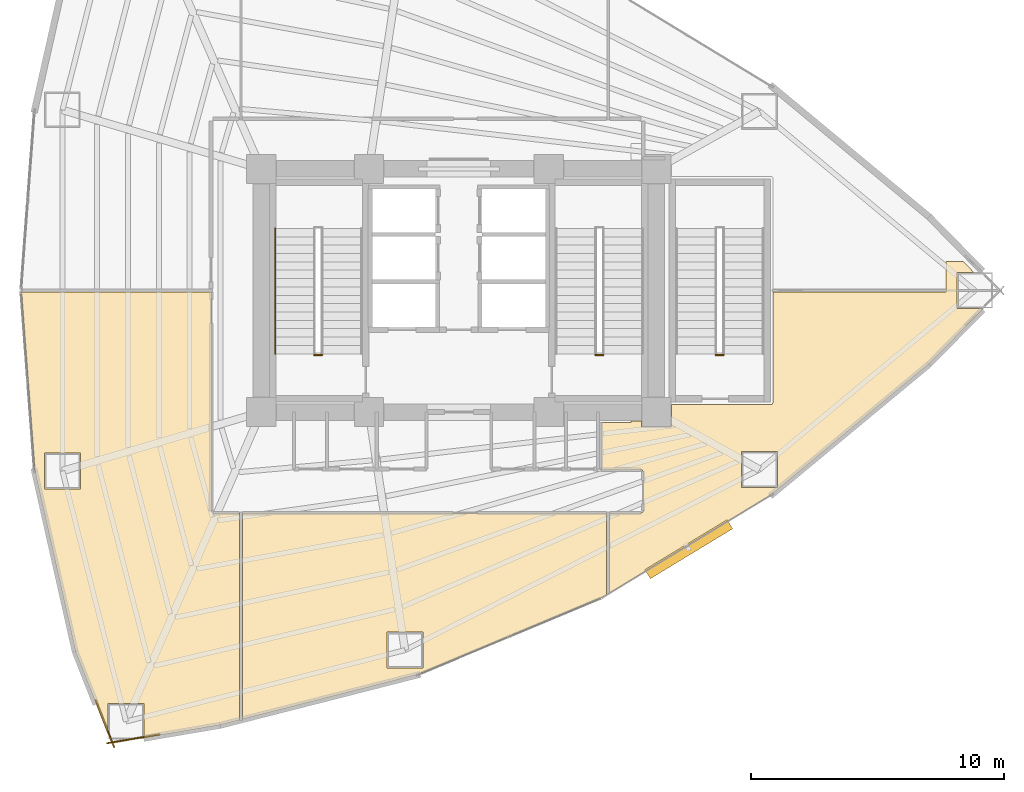
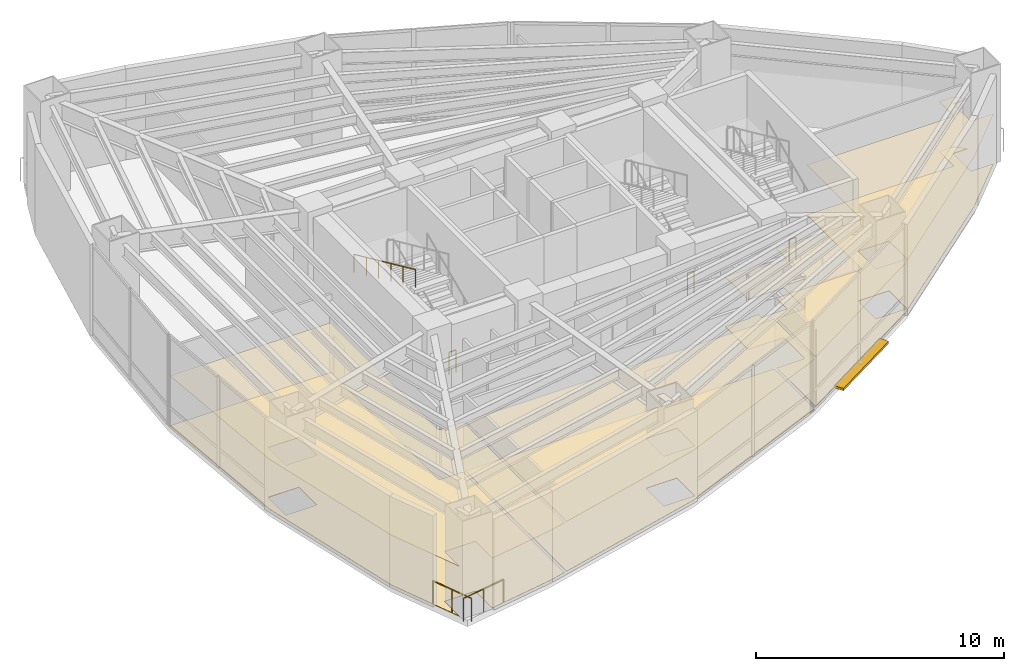
# One storey, part 17 of 18: 6 coverings, 6 railings, 1 shading device.
"""IFC4 building model written with IfcOpenShell, lengths in metres."""

from ifc_helpers import new_model, si_unit, direction, frame, origin, origin_2d, place, context, subcontext, project, spatial, polyline, rectangle, circle, outline, extrude, material, layer, layer_set, type_object, element, save


model = new_model("IFC4")

# Units and contexts
model_context = context("Model", 3, precision=1e-05, world=origin(), true_north=direction((0.0, 1.0)))
body_context = subcontext(model_context, "Body", "Model", "MODEL_VIEW")
ifc_project = project(units=[si_unit("LENGTHUNIT", "METRE"), si_unit("AREAUNIT", "SQUARE_METRE"), si_unit("VOLUMEUNIT", "CUBIC_METRE"), si_unit("PLANEANGLEUNIT", "RADIAN"), si_unit("MASSUNIT", "GRAM", prefix="KILO")], contexts=[model_context])

# Site, building, storey
site_placement = place(None, origin())
site = spatial("IfcSite", under=ifc_project, at=site_placement, CompositionType="ELEMENT")
building_placement = place(site_placement, origin())
building = spatial("IfcBuilding", under=site, at=building_placement, Name="Menara Vayukalpa", CompositionType="ELEMENT")
storey_placement = place(building_placement, frame((0.0, 0.0, 7.199951171875)))
storey = spatial("IfcBuildingStorey", under=building, at=storey_placement, Name="L01", CompositionType="ELEMENT", Elevation=7.199951171875)

# Coverings
ifc_material_1 = material(Name="Mineral Fibre Acoustic Ceiling Tile", Category="masonry")
ifc_layer_1 = layer(ifc_material_1, 0.02490234375)
ifc_layer_set_1 = layer_set([ifc_layer_1], Name="Mineral Fibre Acoustic Ceiling Tile")
covering_type_1 = type_object("IfcCoveringType", Name="COV-CLG1", PredefinedType="CEILING", material=ifc_layer_set_1)
covering_1_placement = place(storey_placement, frame((0.0, 0.0, 2.449951171875)))
element("IfcCovering", 1, at=covering_1_placement, inside=storey, type_object=covering_type_1, Name="L01 Corporate Innovation Gallery Acoustic Ceiling", PredefinedType="CEILING", context=body_context, shape_type="SweptSolid", body=[
    extrude(outline(polyline([(10.4658203125, 7.744384765625), (10.465576171875, 7.7451171875), (10.46533203125, 7.745849609375), (8.862060546875, 14.871826171875), (8.86181640625, 14.873291015625), (8.33251953125, 21.92919921875), (8.33251953125, 21.93017578125), (8.332763671875, 21.93115234375), (8.332763671875, 21.93212890625), (8.3330078125, 21.93310546875), (8.33349609375, 21.93408203125), (8.333984375, 21.934814453125), (8.33447265625, 21.935791015625), (8.3349609375, 21.936279296875), (8.335693359375, 21.93701171875), (8.336181640625, 21.937744140625), (8.337158203125, 21.9384765625), (8.337890625, 21.93896484375), (8.3388671875, 21.939208984375), (8.339599609375, 21.939697265625), (8.3408203125, 21.939697265625), (8.341552734375, 21.93994140625), (8.342529296875, 21.93994140625), (15.820068359375, 21.93994140625), (15.821044921875, 21.93994140625), (15.822021484375, 21.939697265625), (15.822998046875, 21.939697265625), (15.82373046875, 21.939208984375), (15.82470703125, 21.938720703125), (15.82568359375, 21.938232421875), (15.826416015625, 21.937744140625), (15.8271484375, 21.93701171875), (15.82763671875, 21.936279296875), (15.828369140625, 21.935546875), (15.828857421875, 21.934814453125), (15.8291015625, 21.933837890625), (15.82958984375, 21.932861328125), (15.829833984375, 21.931884765625), (15.830078125, 21.930908203125), (15.830078125, 21.929931640625), (15.830078125, 13.290283203125), (15.830322265625, 13.283203125), (15.831298828125, 13.2763671875), (15.8330078125, 13.269775390625), (15.835205078125, 13.26318359375), (15.838134765625, 13.257080078125), (15.841796875, 13.251220703125), (15.845947265625, 13.24560546875), (15.8505859375, 13.240478515625), (15.85546875, 13.236083984375), (15.861083984375, 13.231689453125), (15.866943359375, 13.228271484375), (15.873291015625, 13.225341796875), (15.879638671875, 13.222900390625), (15.88623046875, 13.22119140625), (15.893310546875, 13.220458984375), (15.900390625, 13.219970703125), (16.929931640625, 13.219970703125), (16.930908203125, 13.219970703125), (16.931884765625, 13.2197265625), (16.932861328125, 13.219482421875), (16.933837890625, 13.21923828125), (16.934814453125, 13.21875), (16.935546875, 13.21826171875), (16.936279296875, 13.2177734375), (16.93701171875, 13.217041015625), (16.937744140625, 13.21630859375), (16.938232421875, 13.215576171875), (16.938720703125, 13.214599609375), (16.939208984375, 13.2138671875), (16.939697265625, 13.212890625), (16.939697265625, 13.2119140625), (16.93994140625, 13.2109375), (16.93994140625, 13.2099609375), (16.93994140625, 5.0439453125), (16.93994140625, 5.04296875), (16.939697265625, 5.0419921875), (16.939453125, 5.041015625), (16.939208984375, 5.0400390625), (16.938720703125, 5.0390625), (16.938232421875, 5.038330078125), (16.9375, 5.03759765625), (16.93701171875, 5.03662109375), (16.93603515625, 5.0361328125), (16.935302734375, 5.035400390625), (16.934326171875, 5.034912109375), (16.933349609375, 5.03466796875), (16.9326171875, 5.0341796875), (16.171875, 4.84033203125), (16.171142578125, 4.840087890625), (13.17529296875, 4.33154296875), (13.17529296875, 5.696044921875), (11.745361328125, 5.696044921875), (11.745361328125, 4.486328125), (10.4658203125, 7.744384765625)]), holes=[polyline([(10.6669921875, 15.586181640625), (9.237060546875, 15.586181640625), (9.237060546875, 14.156005859375), (10.6669921875, 14.156005859375), (10.6669921875, 15.586181640625)])]), origin(), (0.0, 0.0, 1.0), 0.025146484375),
])
covering_2_placement = place(storey_placement, frame((0.0, 0.0, 2.449951171875)))
element("IfcCovering", 2, at=covering_2_placement, inside=storey, type_object=covering_type_1, Name="L01 Project Collaboration Workplace Acoustic Ceiling", PredefinedType="CEILING", context=body_context, shape_type="SweptSolid", body=[
    extrude(outline(polyline([(31.236083984375, 9.8681640625), (23.972412109375, 6.829833984375), (23.970947265625, 6.829345703125), (17.072509765625, 5.070068359375), (17.071533203125, 5.06982421875), (17.070556640625, 5.069580078125), (17.069580078125, 5.069580078125), (17.068603515625, 5.06982421875), (17.067626953125, 5.070068359375), (17.06689453125, 5.0703125), (17.06591796875, 5.070556640625), (17.065185546875, 5.071044921875), (17.064208984375, 5.071533203125), (17.0634765625, 5.072021484375), (17.062744140625, 5.07275390625), (17.062255859375, 5.073486328125), (17.0615234375, 5.07421875), (17.06103515625, 5.0751953125), (17.060791015625, 5.075927734375), (17.060302734375, 5.076904296875), (17.060302734375, 5.077880859375), (17.06005859375, 5.07861328125), (17.06005859375, 5.07958984375), (17.06005859375, 13.2099609375), (17.06005859375, 13.2109375), (17.060302734375, 13.2119140625), (17.060302734375, 13.212890625), (17.060791015625, 13.2138671875), (17.061279296875, 13.214599609375), (17.061767578125, 13.215576171875), (17.062255859375, 13.21630859375), (17.06298828125, 13.217041015625), (17.063720703125, 13.2177734375), (17.064453125, 13.21826171875), (17.065185546875, 13.21875), (17.066162109375, 13.21923828125), (17.067138671875, 13.219482421875), (17.068115234375, 13.2197265625), (17.069091796875, 13.219970703125), (17.070068359375, 13.219970703125), (31.429931640625, 13.219970703125), (31.430908203125, 13.219970703125), (31.431884765625, 13.2197265625), (31.432861328125, 13.219482421875), (31.433837890625, 13.21923828125), (31.434814453125, 13.21875), (31.435546875, 13.21826171875), (31.436279296875, 13.2177734375), (31.43701171875, 13.217041015625), (31.437744140625, 13.21630859375), (31.438232421875, 13.215576171875), (31.438720703125, 13.214599609375), (31.439208984375, 13.2138671875), (31.439697265625, 13.212890625), (31.439697265625, 13.2119140625), (31.43994140625, 13.2109375), (31.43994140625, 13.2099609375), (31.43994140625, 10.005126953125), (31.440185546875, 9.99951171875), (31.440185546875, 9.9990234375), (31.4404296875, 9.998046875), (31.4404296875, 9.997314453125), (31.440185546875, 9.99609375), (31.440185546875, 9.995361328125), (31.439697265625, 9.994384765625), (31.439453125, 9.993408203125), (31.43896484375, 9.99267578125), (31.4384765625, 9.99169921875), (31.437744140625, 9.9912109375), (31.43701171875, 9.990478515625), (31.436279296875, 9.98974609375), (31.435546875, 9.9892578125), (31.2373046875, 9.868896484375), (31.23681640625, 9.868408203125), (31.236083984375, 9.8681640625)]), holes=[polyline([(24.190673828125, 8.51513671875), (22.760498046875, 8.51513671875), (22.760498046875, 7.085205078125), (24.190673828125, 7.085205078125), (24.190673828125, 8.51513671875)])]), origin(), (0.0, 0.0, 1.0), 0.025146484375),
])
covering_3_placement = place(storey_placement, frame((0.0, 0.0, 2.449951171875)))
element("IfcCovering", 3, at=covering_3_placement, inside=storey, type_object=covering_type_1, Name="L01 Commercial Kitchen and Servery Acoustic Ceiling", PredefinedType="CEILING", context=body_context, shape_type="SweptSolid", body=[
    extrude(outline(polyline([(31.572509765625, 10.072998046875), (31.571533203125, 10.07275390625), (31.570556640625, 10.072509765625), (31.569580078125, 10.072509765625), (31.568603515625, 10.07275390625), (31.56787109375, 10.07275390625), (31.56689453125, 10.072998046875), (31.56591796875, 10.073486328125), (31.565185546875, 10.073974609375), (31.564208984375, 10.074462890625), (31.5634765625, 10.074951171875), (31.562744140625, 10.07568359375), (31.562255859375, 10.076416015625), (31.5615234375, 10.0771484375), (31.56103515625, 10.077880859375), (31.560791015625, 10.078857421875), (31.560302734375, 10.079833984375), (31.560302734375, 10.080810546875), (31.56005859375, 10.08154296875), (31.56005859375, 10.08251953125), (31.56005859375, 13.2099609375), (31.56005859375, 13.2109375), (31.560302734375, 13.2119140625), (31.560302734375, 13.212890625), (31.560791015625, 13.2138671875), (31.561279296875, 13.214599609375), (31.561767578125, 13.215576171875), (31.562255859375, 13.21630859375), (31.56298828125, 13.217041015625), (31.563720703125, 13.2177734375), (31.564453125, 13.21826171875), (31.565185546875, 13.21875), (31.566162109375, 13.21923828125), (31.567138671875, 13.219482421875), (31.568115234375, 13.2197265625), (31.569091796875, 13.219970703125), (31.570068359375, 13.219970703125), (32.7998046875, 13.219970703125), (32.806884765625, 13.220458984375), (32.813720703125, 13.22119140625), (32.8203125, 13.222900390625), (32.826904296875, 13.225341796875), (32.8330078125, 13.228271484375), (32.8388671875, 13.231689453125), (32.844482421875, 13.236083984375), (32.849609375, 13.240478515625), (32.85400390625, 13.24560546875), (32.858154296875, 13.251220703125), (32.86181640625, 13.257080078125), (32.86474609375, 13.26318359375), (32.866943359375, 13.269775390625), (32.86865234375, 13.2763671875), (32.86962890625, 13.283203125), (32.8701171875, 13.290283203125), (32.8701171875, 14.849609375), (32.86962890625, 14.856689453125), (32.86865234375, 14.86376953125), (32.866943359375, 14.870361328125), (32.86474609375, 14.876708984375), (32.86181640625, 14.883056640625), (32.858154296875, 14.888916015625), (32.85400390625, 14.89453125), (32.849609375, 14.8994140625), (32.844482421875, 14.904052734375), (32.8388671875, 14.908203125), (32.8330078125, 14.911865234375), (32.826904296875, 14.914794921875), (32.8203125, 14.9169921875), (32.813720703125, 14.918701171875), (32.806884765625, 14.919677734375), (32.7998046875, 14.919921875), (31.219970703125, 14.919921875), (31.218994140625, 14.919921875), (31.218017578125, 14.920166015625), (31.217041015625, 14.92041015625), (31.21630859375, 14.9208984375), (31.21533203125, 14.921142578125), (31.21435546875, 14.921630859375), (31.213623046875, 14.92236328125), (31.212890625, 14.9228515625), (31.21240234375, 14.923583984375), (31.211669921875, 14.92431640625), (31.211181640625, 14.92529296875), (31.210693359375, 14.92626953125), (31.21044921875, 14.927001953125), (31.210205078125, 14.927978515625), (31.2099609375, 14.928955078125), (31.2099609375, 14.929931640625), (31.2099609375, 16.780029296875), (31.2099609375, 16.781005859375), (31.210205078125, 16.781982421875), (31.21044921875, 16.782958984375), (31.210693359375, 16.78369140625), (31.211181640625, 16.78466796875), (31.211669921875, 16.78564453125), (31.21240234375, 16.786376953125), (31.212890625, 16.787109375), (31.213623046875, 16.78759765625), (31.21435546875, 16.788330078125), (31.21533203125, 16.788818359375), (31.21630859375, 16.789306640625), (31.217041015625, 16.78955078125), (31.218017578125, 16.789794921875), (31.218994140625, 16.7900390625), (31.219970703125, 16.7900390625), (32.389892578125, 16.7900390625), (32.389892578125, 16.85009765625), (32.81005859375, 16.85009765625), (32.81005859375, 16.610107421875), (33.989990234375, 16.610107421875), (33.989990234375, 17.5), (37.9296875, 17.5), (37.936767578125, 17.50048828125), (37.943603515625, 17.501220703125), (37.9501953125, 17.5029296875), (37.956787109375, 17.50537109375), (37.962890625, 17.50830078125), (37.96875, 17.51171875), (37.974609375, 17.51611328125), (37.9794921875, 17.5205078125), (37.98388671875, 17.525390625), (37.98828125, 17.53125), (37.99169921875, 17.537109375), (37.99462890625, 17.543212890625), (37.9970703125, 17.5498046875), (37.998779296875, 17.556396484375), (37.99951171875, 17.563232421875), (38.0, 17.5703125), (38.0, 21.929931640625), (38.0, 21.930908203125), (38.000244140625, 21.931884765625), (38.00048828125, 21.932861328125), (38.000732421875, 21.933837890625), (38.001220703125, 21.934814453125), (38.001708984375, 21.935546875), (38.002197265625, 21.936279296875), (38.0029296875, 21.93701171875), (38.003662109375, 21.937744140625), (38.00439453125, 21.938232421875), (38.00537109375, 21.938720703125), (38.006103515625, 21.939208984375), (38.007080078125, 21.939697265625), (38.008056640625, 21.939697265625), (38.009033203125, 21.93994140625), (38.010009765625, 21.93994140625), (44.84423828125, 21.93994140625), (44.84423828125, 23.135009765625), (45.5224609375, 23.135009765625), (45.934814453125, 22.715087890625), (45.26416015625, 22.715087890625), (45.26416015625, 21.284912109375), (46.313232421875, 21.284912109375), (44.163818359375, 19.095947265625), (44.1630859375, 19.09521484375), (37.968017578125, 13.95751953125), (37.966796875, 13.956787109375), (31.5751953125, 10.07421875), (31.57421875, 10.073486328125), (31.573486328125, 10.0732421875), (31.572509765625, 10.072998046875)]), holes=[polyline([(38.18896484375, 15.64404296875), (36.759033203125, 15.64404296875), (36.759033203125, 14.214111328125), (38.18896484375, 14.214111328125), (38.18896484375, 15.64404296875)])]), origin(), (0.0, 0.0, 1.0), 0.025146484375),
])
ifc_material_2 = material(Name="Porcelain Stoneware Floor Tile", Category="masonry")
ifc_layer_2 = layer(ifc_material_2, 0.02001953125)
ifc_layer_set_2 = layer_set([ifc_layer_2], Name="Porcelain Stoneware Floor Tile")
covering_type_2 = type_object("IfcCoveringType", Name="COV-FLR1", PredefinedType="FLOORING", material=ifc_layer_set_2)
covering_4_placement = place(storey_placement, origin())
element("IfcCovering", 4, at=covering_4_placement, inside=storey, type_object=covering_type_2, Name="L01 Corporate Innovation Gallery Porcelain Flooring", PredefinedType="FLOORING", context=body_context, shape_type="SweptSolid", body=[
    extrude(outline(polyline([(10.4658203125, 7.744384765625), (10.465576171875, 7.7451171875), (10.46533203125, 7.745849609375), (8.862060546875, 14.871826171875), (8.86181640625, 14.873291015625), (8.33251953125, 21.92919921875), (8.33251953125, 21.93017578125), (8.332763671875, 21.93115234375), (8.332763671875, 21.93212890625), (8.3330078125, 21.93310546875), (8.33349609375, 21.93408203125), (8.333984375, 21.934814453125), (8.33447265625, 21.935791015625), (8.3349609375, 21.936279296875), (8.335693359375, 21.93701171875), (8.336181640625, 21.937744140625), (8.337158203125, 21.9384765625), (8.337890625, 21.93896484375), (8.3388671875, 21.939208984375), (8.339599609375, 21.939697265625), (8.3408203125, 21.939697265625), (8.341552734375, 21.93994140625), (8.342529296875, 21.93994140625), (15.820068359375, 21.93994140625), (15.821044921875, 21.93994140625), (15.822021484375, 21.939697265625), (15.822998046875, 21.939697265625), (15.82373046875, 21.939208984375), (15.82470703125, 21.938720703125), (15.82568359375, 21.938232421875), (15.826416015625, 21.937744140625), (15.8271484375, 21.93701171875), (15.82763671875, 21.936279296875), (15.828369140625, 21.935546875), (15.828857421875, 21.934814453125), (15.8291015625, 21.933837890625), (15.82958984375, 21.932861328125), (15.829833984375, 21.931884765625), (15.830078125, 21.930908203125), (15.830078125, 21.929931640625), (15.830078125, 13.290283203125), (15.830322265625, 13.283203125), (15.831298828125, 13.2763671875), (15.8330078125, 13.269775390625), (15.835205078125, 13.26318359375), (15.838134765625, 13.257080078125), (15.841796875, 13.251220703125), (15.845947265625, 13.24560546875), (15.8505859375, 13.240478515625), (15.85546875, 13.236083984375), (15.861083984375, 13.231689453125), (15.866943359375, 13.228271484375), (15.873291015625, 13.225341796875), (15.879638671875, 13.222900390625), (15.88623046875, 13.22119140625), (15.893310546875, 13.220458984375), (15.900390625, 13.219970703125), (16.929931640625, 13.219970703125), (16.930908203125, 13.219970703125), (16.931884765625, 13.2197265625), (16.932861328125, 13.219482421875), (16.933837890625, 13.21923828125), (16.934814453125, 13.21875), (16.935546875, 13.21826171875), (16.936279296875, 13.2177734375), (16.93701171875, 13.217041015625), (16.937744140625, 13.21630859375), (16.938232421875, 13.215576171875), (16.938720703125, 13.214599609375), (16.939208984375, 13.2138671875), (16.939697265625, 13.212890625), (16.939697265625, 13.2119140625), (16.93994140625, 13.2109375), (16.93994140625, 13.2099609375), (16.93994140625, 5.0439453125), (16.93994140625, 5.04296875), (16.939697265625, 5.0419921875), (16.939453125, 5.041015625), (16.939208984375, 5.0400390625), (16.938720703125, 5.0390625), (16.938232421875, 5.038330078125), (16.9375, 5.03759765625), (16.93701171875, 5.03662109375), (16.93603515625, 5.0361328125), (16.935302734375, 5.035400390625), (16.934326171875, 5.034912109375), (16.933349609375, 5.03466796875), (16.9326171875, 5.0341796875), (16.171875, 4.84033203125), (16.171142578125, 4.840087890625), (13.17529296875, 4.33154296875), (13.17529296875, 5.696044921875), (11.745361328125, 5.696044921875), (11.745361328125, 4.486328125), (10.4658203125, 7.744384765625)]), holes=[polyline([(10.6669921875, 15.586181640625), (9.237060546875, 15.586181640625), (9.237060546875, 14.156005859375), (10.6669921875, 14.156005859375), (10.6669921875, 15.586181640625)])]), origin(), (0.0, 0.0, 1.0), 0.02001953125),
])
covering_5_placement = place(storey_placement, origin())
element("IfcCovering", 5, at=covering_5_placement, inside=storey, type_object=covering_type_2, Name="L01 Project Collaboration Workplace Porcelain Flooring", PredefinedType="FLOORING", context=body_context, shape_type="SweptSolid", body=[
    extrude(outline(polyline([(31.236083984375, 9.8681640625), (23.972412109375, 6.829833984375), (23.970947265625, 6.829345703125), (17.072509765625, 5.070068359375), (17.071533203125, 5.06982421875), (17.070556640625, 5.069580078125), (17.069580078125, 5.069580078125), (17.068603515625, 5.06982421875), (17.067626953125, 5.070068359375), (17.06689453125, 5.0703125), (17.06591796875, 5.070556640625), (17.065185546875, 5.071044921875), (17.064208984375, 5.071533203125), (17.0634765625, 5.072021484375), (17.062744140625, 5.07275390625), (17.062255859375, 5.073486328125), (17.0615234375, 5.07421875), (17.06103515625, 5.0751953125), (17.060791015625, 5.075927734375), (17.060302734375, 5.076904296875), (17.060302734375, 5.077880859375), (17.06005859375, 5.07861328125), (17.06005859375, 5.07958984375), (17.06005859375, 13.2099609375), (17.06005859375, 13.2109375), (17.060302734375, 13.2119140625), (17.060302734375, 13.212890625), (17.060791015625, 13.2138671875), (17.061279296875, 13.214599609375), (17.061767578125, 13.215576171875), (17.062255859375, 13.21630859375), (17.06298828125, 13.217041015625), (17.063720703125, 13.2177734375), (17.064453125, 13.21826171875), (17.065185546875, 13.21875), (17.066162109375, 13.21923828125), (17.067138671875, 13.219482421875), (17.068115234375, 13.2197265625), (17.069091796875, 13.219970703125), (17.070068359375, 13.219970703125), (31.429931640625, 13.219970703125), (31.430908203125, 13.219970703125), (31.431884765625, 13.2197265625), (31.432861328125, 13.219482421875), (31.433837890625, 13.21923828125), (31.434814453125, 13.21875), (31.435546875, 13.21826171875), (31.436279296875, 13.2177734375), (31.43701171875, 13.217041015625), (31.437744140625, 13.21630859375), (31.438232421875, 13.215576171875), (31.438720703125, 13.214599609375), (31.439208984375, 13.2138671875), (31.439697265625, 13.212890625), (31.439697265625, 13.2119140625), (31.43994140625, 13.2109375), (31.43994140625, 13.2099609375), (31.43994140625, 10.005126953125), (31.440185546875, 9.99951171875), (31.440185546875, 9.9990234375), (31.4404296875, 9.998046875), (31.4404296875, 9.997314453125), (31.440185546875, 9.99609375), (31.440185546875, 9.995361328125), (31.439697265625, 9.994384765625), (31.439453125, 9.993408203125), (31.43896484375, 9.99267578125), (31.4384765625, 9.99169921875), (31.437744140625, 9.9912109375), (31.43701171875, 9.990478515625), (31.436279296875, 9.98974609375), (31.435546875, 9.9892578125), (31.2373046875, 9.868896484375), (31.23681640625, 9.868408203125), (31.236083984375, 9.8681640625)]), holes=[polyline([(24.190673828125, 8.51513671875), (22.760498046875, 8.51513671875), (22.760498046875, 7.085205078125), (24.190673828125, 7.085205078125), (24.190673828125, 8.51513671875)])]), origin(), (0.0, 0.0, 1.0), 0.02001953125),
])
covering_6_placement = place(storey_placement, origin())
element("IfcCovering", 6, at=covering_6_placement, inside=storey, type_object=covering_type_2, Name="L01 Commercial Kitchen and Servery Porcelain Flooring", PredefinedType="FLOORING", context=body_context, shape_type="SweptSolid", body=[
    extrude(outline(polyline([(31.572509765625, 10.072998046875), (31.571533203125, 10.07275390625), (31.570556640625, 10.072509765625), (31.569580078125, 10.072509765625), (31.568603515625, 10.07275390625), (31.56787109375, 10.07275390625), (31.56689453125, 10.072998046875), (31.56591796875, 10.073486328125), (31.565185546875, 10.073974609375), (31.564208984375, 10.074462890625), (31.5634765625, 10.074951171875), (31.562744140625, 10.07568359375), (31.562255859375, 10.076416015625), (31.5615234375, 10.0771484375), (31.56103515625, 10.077880859375), (31.560791015625, 10.078857421875), (31.560302734375, 10.079833984375), (31.560302734375, 10.080810546875), (31.56005859375, 10.08154296875), (31.56005859375, 10.08251953125), (31.56005859375, 13.2099609375), (31.56005859375, 13.2109375), (31.560302734375, 13.2119140625), (31.560302734375, 13.212890625), (31.560791015625, 13.2138671875), (31.561279296875, 13.214599609375), (31.561767578125, 13.215576171875), (31.562255859375, 13.21630859375), (31.56298828125, 13.217041015625), (31.563720703125, 13.2177734375), (31.564453125, 13.21826171875), (31.565185546875, 13.21875), (31.566162109375, 13.21923828125), (31.567138671875, 13.219482421875), (31.568115234375, 13.2197265625), (31.569091796875, 13.219970703125), (31.570068359375, 13.219970703125), (32.7998046875, 13.219970703125), (32.806884765625, 13.220458984375), (32.813720703125, 13.22119140625), (32.8203125, 13.222900390625), (32.826904296875, 13.225341796875), (32.8330078125, 13.228271484375), (32.8388671875, 13.231689453125), (32.844482421875, 13.236083984375), (32.849609375, 13.240478515625), (32.85400390625, 13.24560546875), (32.858154296875, 13.251220703125), (32.86181640625, 13.257080078125), (32.86474609375, 13.26318359375), (32.866943359375, 13.269775390625), (32.86865234375, 13.2763671875), (32.86962890625, 13.283203125), (32.8701171875, 13.290283203125), (32.8701171875, 14.849609375), (32.86962890625, 14.856689453125), (32.86865234375, 14.86376953125), (32.866943359375, 14.870361328125), (32.86474609375, 14.876708984375), (32.86181640625, 14.883056640625), (32.858154296875, 14.888916015625), (32.85400390625, 14.89453125), (32.849609375, 14.8994140625), (32.844482421875, 14.904052734375), (32.8388671875, 14.908203125), (32.8330078125, 14.911865234375), (32.826904296875, 14.914794921875), (32.8203125, 14.9169921875), (32.813720703125, 14.918701171875), (32.806884765625, 14.919677734375), (32.7998046875, 14.919921875), (31.219970703125, 14.919921875), (31.218994140625, 14.919921875), (31.218017578125, 14.920166015625), (31.217041015625, 14.92041015625), (31.21630859375, 14.9208984375), (31.21533203125, 14.921142578125), (31.21435546875, 14.921630859375), (31.213623046875, 14.92236328125), (31.212890625, 14.9228515625), (31.21240234375, 14.923583984375), (31.211669921875, 14.92431640625), (31.211181640625, 14.92529296875), (31.210693359375, 14.92626953125), (31.21044921875, 14.927001953125), (31.210205078125, 14.927978515625), (31.2099609375, 14.928955078125), (31.2099609375, 14.929931640625), (31.2099609375, 16.780029296875), (31.2099609375, 16.781005859375), (31.210205078125, 16.781982421875), (31.21044921875, 16.782958984375), (31.210693359375, 16.78369140625), (31.211181640625, 16.78466796875), (31.211669921875, 16.78564453125), (31.21240234375, 16.786376953125), (31.212890625, 16.787109375), (31.213623046875, 16.78759765625), (31.21435546875, 16.788330078125), (31.21533203125, 16.788818359375), (31.21630859375, 16.789306640625), (31.217041015625, 16.78955078125), (31.218017578125, 16.789794921875), (31.218994140625, 16.7900390625), (31.219970703125, 16.7900390625), (32.389892578125, 16.7900390625), (32.389892578125, 16.85009765625), (32.81005859375, 16.85009765625), (32.81005859375, 16.610107421875), (33.989990234375, 16.610107421875), (33.989990234375, 17.5), (37.9296875, 17.5), (37.936767578125, 17.50048828125), (37.943603515625, 17.501220703125), (37.9501953125, 17.5029296875), (37.956787109375, 17.50537109375), (37.962890625, 17.50830078125), (37.96875, 17.51171875), (37.974609375, 17.51611328125), (37.9794921875, 17.5205078125), (37.98388671875, 17.525390625), (37.98828125, 17.53125), (37.99169921875, 17.537109375), (37.99462890625, 17.543212890625), (37.9970703125, 17.5498046875), (37.998779296875, 17.556396484375), (37.99951171875, 17.563232421875), (38.0, 17.5703125), (38.0, 21.929931640625), (38.0, 21.930908203125), (38.000244140625, 21.931884765625), (38.00048828125, 21.932861328125), (38.000732421875, 21.933837890625), (38.001220703125, 21.934814453125), (38.001708984375, 21.935546875), (38.002197265625, 21.936279296875), (38.0029296875, 21.93701171875), (38.003662109375, 21.937744140625), (38.00439453125, 21.938232421875), (38.00537109375, 21.938720703125), (38.006103515625, 21.939208984375), (38.007080078125, 21.939697265625), (38.008056640625, 21.939697265625), (38.009033203125, 21.93994140625), (38.010009765625, 21.93994140625), (44.84423828125, 21.93994140625), (44.84423828125, 23.135009765625), (45.5224609375, 23.135009765625), (45.934814453125, 22.715087890625), (45.26416015625, 22.715087890625), (45.26416015625, 21.284912109375), (46.313232421875, 21.284912109375), (44.163818359375, 19.095947265625), (44.1630859375, 19.09521484375), (37.968017578125, 13.95751953125), (37.966796875, 13.956787109375), (31.5751953125, 10.07421875), (31.57421875, 10.073486328125), (31.573486328125, 10.0732421875), (31.572509765625, 10.072998046875)]), holes=[polyline([(38.18896484375, 15.64404296875), (36.759033203125, 15.64404296875), (36.759033203125, 14.214111328125), (38.18896484375, 14.214111328125), (38.18896484375, 15.64404296875)])]), origin(), (0.0, 0.0, 1.0), 0.02001953125),
])

# Railings
ifc_material_3 = material(Name="Laminated Glass and Stainless Steel 316 Guardrail", Category="steel")
railing_type_1 = type_object("IfcRailingType", Name="RLG-EXT115", PredefinedType="GUARDRAIL", material=ifc_material_3)
railing_1_placement = place(storey_placement, frame((11.263916015625, 5.82177734375, 0.0)))
element("IfcRailing", 7, at=railing_1_placement, inside=storey, type_object=railing_type_1, Name="L01 Column Corner Spandrel Guardrail 13-1", PredefinedType="GUARDRAIL", context=body_context, shape_type="SweptSolid", body=[
    extrude(circle(Radius=0.02392578125, at=origin_2d()), frame((0.0, 0.0, 1.1259765625), z_axis=(0.365580158762, -0.930779859859, 0.0), x_axis=(0.930779859859, 0.365580158762, 0.0)), (0.0, 0.0, 1.0), 1.9873046875),
    extrude(circle(Radius=0.02099609375, at=origin_2d()), origin(), (0.0, 0.0, 1.0), 1.101806640625),
    extrude(circle(Radius=0.02099609375, at=origin_2d()), frame((0.36328125, -0.9248046875, 0.0)), (0.0, 0.0, 1.0), 1.101806640625),
    extrude(circle(Radius=0.02099609375, at=origin_2d()), frame((0.7265625, -1.849853515625, 0.0)), (0.0, 0.0, 1.0), 1.101806640625),
])
railing_2_placement = place(storey_placement, frame((11.71923828125, 4.125, 0.0)))
element("IfcRailing", 8, at=railing_2_placement, inside=storey, type_object=railing_type_1, Name="L01 Column Corner Spandrel Guardrail 14-1", PredefinedType="GUARDRAIL", context=body_context, shape_type="SweptSolid", body=[
    extrude(circle(Radius=0.02392578125, at=origin_2d()), frame((0.0, 0.0, 1.1259765625), z_axis=(0.985904350491, 0.167309927029, 0.0), x_axis=(-0.167309927029, 0.985904350491, 0.0)), (0.0, 0.0, 1.0), 2.093994140625),
    extrude(circle(Radius=0.02099609375, at=origin_2d()), origin(), (0.0, 0.0, 1.0), 1.101806640625),
    extrude(circle(Radius=0.02099609375, at=origin_2d()), frame((1.0322265625, 0.17529296875, 0.0)), (0.0, 0.0, 1.0), 1.101806640625),
    extrude(circle(Radius=0.02099609375, at=origin_2d()), frame((2.064453125, 0.350341796875, 0.0)), (0.0, 0.0, 1.0), 1.101806640625),
])
ifc_material_4 = material(Name="Powder-Coated Galvanised Steel Guardrail", Category="steel")
railing_type_2 = type_object("IfcRailingType", Name="RLG-STG110", PredefinedType="GUARDRAIL", material=ifc_material_4)
for number, where, name in (
    (9, (20.2099609375, 19.449951171875, 0.0), "L01 ST-1 stair guard 4"),
    (10, (31.31005859375, 19.449951171875, 0.0), "L01 ST-2 stair guard 4"),
    (11, (36.06005859375, 19.449951171875, 0.0), "L01 ST-3 stair guard 4"),
):
    element("IfcRailing", number, at=place(storey_placement, frame(where)), inside=storey, type_object=railing_type_2, Name=name, PredefinedType="GUARDRAIL", context=body_context, shape_type="SweptSolid", body=[
        extrude(circle(Radius=0.02392578125, at=origin_2d()), frame((0.0, 0.0, 1.09619140625), z_axis=(-1.0, 0.0, 0.0), x_axis=(0.0, -1.0, 0.0)), (0.0, 0.0, 1.0), 0.320068359375),
        extrude(circle(Radius=0.02099609375, at=origin_2d()), origin(), (0.0, 0.0, 1.0), 1.072021484375),
        extrude(circle(Radius=0.02099609375, at=origin_2d()), frame((-0.320068359375, 0.0, 0.0)), (0.0, 0.0, 1.0), 1.072021484375),
    ])
ifc_material_5 = material(Name="Stainless Steel 316 Tubular Handrail", Category="steel")
railing_type_3 = type_object("IfcRailingType", Name="RLG-STH090", PredefinedType="HANDRAIL", material=ifc_material_5)
railing_3_placement = place(storey_placement, frame((18.35009765625, 24.449951171875, 2.550048828125)))
element("IfcRailing", 12, at=railing_3_placement, inside=storey, type_object=railing_type_3, Name="L01 ST-1 stair handrail 2", PredefinedType="HANDRAIL", context=body_context, shape_type="SweptSolid", body=[
    extrude(circle(Radius=0.02392578125, at=origin_2d()), frame((0.0, 0.0, 0.8759765625), z_axis=(0.0, -0.910364939756, 0.41380632724), x_axis=(1.0, 0.0, 0.0)), (0.0, 0.0, 1.0), 5.437255859375),
    extrude(circle(Radius=0.02099609375, at=origin_2d()), origin(), (0.0, 0.0, 1.0), 0.851806640625),
    extrude(circle(Radius=0.02099609375, at=origin_2d()), frame((0.0, -0.989990234375, 0.449951171875)), (0.0, 0.0, 1.0), 0.851806640625),
    extrude(circle(Radius=0.02099609375, at=origin_2d()), frame((0.0, -1.97998046875, 0.89990234375)), (0.0, 0.0, 1.0), 0.851806640625),
    extrude(circle(Radius=0.02099609375, at=origin_2d()), frame((0.0, -2.969970703125, 1.35009765625)), (0.0, 0.0, 1.0), 0.851806640625),
    extrude(circle(Radius=0.02099609375, at=origin_2d()), frame((0.0, -3.9599609375, 1.800048828125)), (0.0, 0.0, 1.0), 0.851806640625),
    extrude(circle(Radius=0.02099609375, at=origin_2d()), frame((0.0, -4.949951171875, 2.25)), (0.0, 0.0, 1.0), 0.851806640625),
])

# Shading device
ifc_material_6 = material(Name="Glazed Terracotta Ceramic Baguette Extrusion", Category="masonry")
ifc_layer_3 = layer(ifc_material_6, 0.1201171875)
ifc_layer_set_3 = layer_set([ifc_layer_3], Name="Glazed Terracotta Ceramic Baguette Extrusion")
shading_device_type = type_object("IfcShadingDeviceType", Name="SHD-SS1", PredefinedType="USERDEFINED", material=ifc_layer_set_3)
shading_device_placement = place(storey_placement, frame((34.679931640625, 11.784423828125, -0.10009765625), z_axis=(0.0, 0.0, 1.0), x_axis=(0.85466730962, 0.519176068272, 0.0)))
element("IfcShadingDevice", 13, at=shading_device_placement, inside=storey, type_object=shading_device_type, Name="L01 Horizontal Terracotta Sunshade Band 17", ObjectType="SUNSHADE", PredefinedType="USERDEFINED", context=body_context, shape_type="SweptSolid", body=[
    extrude(rectangle(XDim=3.800048828125, YDim=0.419921875, at=origin_2d()), origin(), (0.0, 0.0, 1.0), 0.1201171875),
])

save(model, "model.ifc")
